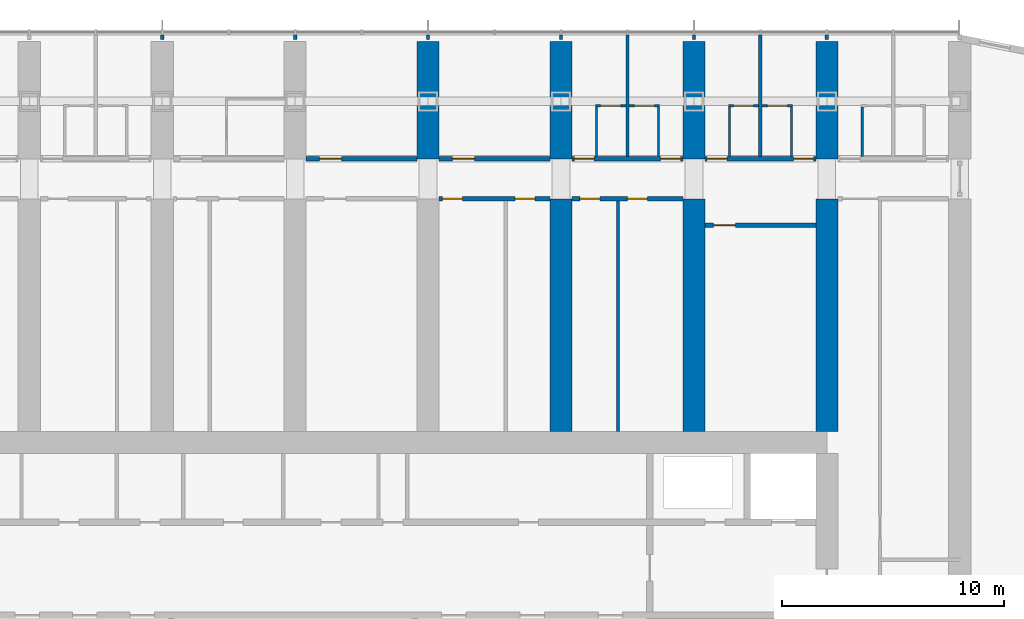
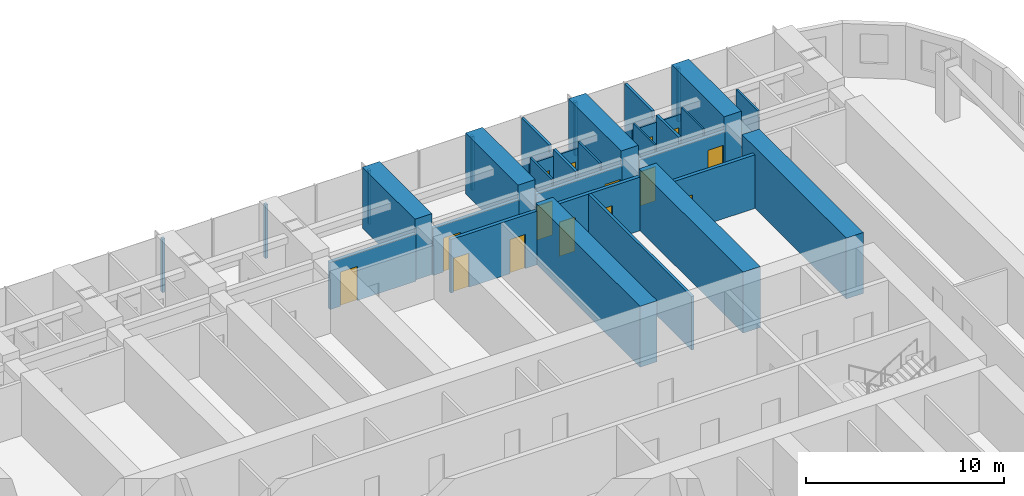
# One storey, part 17 of 24: 32 walls, 15 doors, 15 openings.
"""IFC4 building model written with IfcOpenShell, lengths in metres."""

from ifc_helpers import new_model, si_unit, direction, frame, frame_2d, origin, place, context, subcontext, project, spatial, polyline, rectangle, outline, extrude, material, layer, layer_set, type_object, element, fill, save


model = new_model("IFC4")

# Units and contexts
model_context = context("Model", 3, precision=1e-05, world=origin(), true_north=direction((0.0, 1.0)))
body_context = subcontext(model_context, "Body", "Model", "MODEL_VIEW")
ifc_project = project(units=[si_unit("LENGTHUNIT", "METRE"), si_unit("AREAUNIT", "SQUARE_METRE"), si_unit("VOLUMEUNIT", "CUBIC_METRE"), si_unit("PLANEANGLEUNIT", "RADIAN"), si_unit("MASSUNIT", "GRAM", prefix="KILO")], contexts=[model_context])

# Site, building, storey
site_placement = place(None, origin())
site = spatial("IfcSite", under=ifc_project, at=site_placement, CompositionType="ELEMENT")
building_placement = place(site_placement, origin())
building = spatial("IfcBuilding", under=site, at=building_placement, Name="Orbita Commons", CompositionType="ELEMENT")
storey_placement = place(building_placement, frame((0.0, 0.0, 35.199951171875)))
storey = spatial("IfcBuildingStorey", under=building, at=storey_placement, Name="L08", CompositionType="ELEMENT", Elevation=35.199951171875)

# Wall, opening, door
ifc_material_1 = material(Name="Concrete blockwork", Category="masonry")
ifc_layer_1 = layer(ifc_material_1, 0.199951171875)
ifc_layer_set_1 = layer_set([ifc_layer_1], Name="Concrete blockwork")
wall_type_1 = type_object("IfcWallType", Name="Corridor wall 200 blockwork", PredefinedType="SOLIDWALL", material=ifc_layer_set_1)
wall_1_placement = place(storey_placement, frame((42.5, 51.0, 0.0), z_axis=(0.0, 0.0, 1.0), x_axis=(1.0, 0.0, 0.0)))
wall_1 = element("IfcWall", 1, at=wall_1_placement, inside=storey, type_object=wall_type_1, Name="Corridor wall 200 blockwork L08", PredefinedType="SOLIDWALL", context=body_context, shape_type="SweptSolid", body=[
    extrude(outline(polyline([(0.0, 0.0), (5.0, 0.0), (5.0, 2.900146484375), (0.0, 2.900146484375), (0.0, 0.0)])), frame((0.0, 0.10009765625, 0.0), z_axis=(0.0, -1.0, 0.0), x_axis=(1.0, 0.0, 0.0)), (0.0, 0.0, 1.0), 0.199951171875),
])
opening_1_placement = place(wall_1_placement, frame((0.60009765625, 0.0, 0.0)))
opening_1 = element("IfcOpeningElement", 2, at=opening_1_placement, cuts=wall_1, Name="Opening D06", PredefinedType="OPENING", context=body_context, shape_type="SweptSolid", body=[
    extrude(rectangle(XDim=1.0, YDim=2.10009765625, at=frame_2d((0.5, 1.050048828125))), frame((0.0, 0.10986328125, 0.0), z_axis=(0.0, -1.0, 0.0), x_axis=(1.0, 0.0, 0.0)), (0.0, 0.0, 1.0), 0.219970703125),
])
ifc_material_2 = material(Name="Steel-faced fire door leaf", Category="steel")
door_type_1 = type_object("IfcDoorType", Name="Corridor door 20 min 1000x2100", OperationType="SINGLE_SWING_LEFT", PredefinedType="DOOR", material=ifc_material_2)
door_1_placement = place(opening_1_placement, origin())
door_1 = element("IfcDoor", 3, at=door_1_placement, inside=storey, type_object=door_type_1, Name="House common room L08-N10 door", OperationType="SINGLE_SWING_LEFT", OverallHeight=2.10009765625, OverallWidth=1.0, PredefinedType="DOOR", context=body_context, shape_type="SweptSolid", body=[
    extrude(rectangle(XDim=1.0, YDim=2.10009765625, at=frame_2d((0.5, 1.050048828125))), frame((0.0, 0.02490234375, 0.0), z_axis=(0.0, -1.0, 0.0), x_axis=(1.0, 0.0, 0.0)), (0.0, 0.0, 1.0), 0.050048828125),
])
fill(opening_1, door_1)

wall_2_placement = place(storey_placement, frame((48.5, 51.0, 0.0), z_axis=(0.0, 0.0, 1.0), x_axis=(1.0, 0.0, 0.0)))
wall_2 = element("IfcWall", 4, at=wall_2_placement, inside=storey, type_object=wall_type_1, Name="Corridor wall 200 blockwork L08", PredefinedType="SOLIDWALL", context=body_context, shape_type="SweptSolid", body=[
    extrude(outline(polyline([(0.0, 0.0), (5.0, 0.0), (5.0, 2.900146484375), (0.0, 2.900146484375), (0.0, 0.0)])), frame((0.0, 0.10009765625, 0.0), z_axis=(0.0, -1.0, 0.0), x_axis=(1.0, 0.0, 0.0)), (0.0, 0.0, 1.0), 0.199951171875),
])
opening_2_placement = place(wall_2_placement, frame((0.60009765625, 0.0, 0.0)))
opening_2 = element("IfcOpeningElement", 5, at=opening_2_placement, cuts=wall_2, Name="Opening D06", PredefinedType="OPENING", context=body_context, shape_type="SweptSolid", body=[
    extrude(rectangle(XDim=1.0, YDim=2.10009765625, at=frame_2d((0.5, 1.050048828125))), frame((0.0, 0.10986328125, 0.0), z_axis=(0.0, -1.0, 0.0), x_axis=(1.0, 0.0, 0.0)), (0.0, 0.0, 1.0), 0.219970703125),
])
door_2_placement = place(opening_2_placement, origin())
door_2 = element("IfcDoor", 6, at=door_2_placement, inside=storey, type_object=door_type_1, Name="House kitchen-diner L08-N12 door", OperationType="SINGLE_SWING_LEFT", OverallHeight=2.10009765625, OverallWidth=1.0, PredefinedType="DOOR", context=body_context, shape_type="SweptSolid", body=[
    extrude(rectangle(XDim=1.0, YDim=2.10009765625, at=frame_2d((0.5, 1.050048828125))), frame((0.0, 0.02490234375, 0.0), z_axis=(0.0, -1.0, 0.0), x_axis=(1.0, 0.0, 0.0)), (0.0, 0.0, 1.0), 0.050048828125),
])
fill(opening_2, door_2)

# Wall, openings, doors
wall_3_placement = place(storey_placement, frame((54.5, 51.0, 0.0), z_axis=(0.0, 0.0, 1.0), x_axis=(1.0, 0.0, 0.0)))
wall_3 = element("IfcWall", 7, at=wall_3_placement, inside=storey, type_object=wall_type_1, Name="Corridor wall 200 blockwork L08", PredefinedType="SOLIDWALL", context=body_context, shape_type="SweptSolid", body=[
    extrude(outline(polyline([(0.0, 0.0), (5.0, 0.0), (5.0, 2.900146484375), (0.0, 2.900146484375), (0.0, 0.0)])), frame((0.0, 0.10009765625, 0.0), z_axis=(0.0, -1.0, 0.0), x_axis=(1.0, 0.0, 0.0)), (0.0, 0.0, 1.0), 0.199951171875),
])
opening_3_placement = place(wall_3_placement, frame((0.10009765625, 0.0, 0.0)))
opening_3 = element("IfcOpeningElement", 8, at=opening_3_placement, cuts=wall_3, Name="Opening D11", PredefinedType="OPENING", context=body_context, shape_type="SweptSolid", body=[
    extrude(rectangle(XDim=0.89990234375, YDim=2.10009765625, at=frame_2d((0.449951171875, 1.050048828125))), frame((0.0, 0.10986328125, 0.0), z_axis=(0.0, -1.0, 0.0), x_axis=(1.0, 0.0, 0.0)), (0.0, 0.0, 1.0), 0.219970703125),
])
opening_4_placement = place(wall_3_placement, frame((4.0, 0.0, 0.0)))
opening_4 = element("IfcOpeningElement", 9, at=opening_4_placement, cuts=wall_3, Name="Opening D11", PredefinedType="OPENING", context=body_context, shape_type="SweptSolid", body=[
    extrude(rectangle(XDim=0.89990234375, YDim=2.10009765625, at=frame_2d((0.449951171875, 1.050048828125))), frame((0.0, 0.10986328125, 0.0), z_axis=(0.0, -1.0, 0.0), x_axis=(1.0, 0.0, 0.0)), (0.0, 0.0, 1.0), 0.219970703125),
])
ifc_material_3 = material(Name="Steel-faced fire door leaf", Category="steel")
door_type_2 = type_object("IfcDoorType", Name="Corridor door 20 min 900x2100", OperationType="SINGLE_SWING_LEFT", PredefinedType="DOOR", material=ifc_material_3)
door_3_placement = place(opening_3_placement, origin())
door_3 = element("IfcDoor", 10, at=door_3_placement, inside=storey, type_object=door_type_2, Name="House bedroom L08-N14 door", OperationType="SINGLE_SWING_LEFT", OverallHeight=2.10009765625, OverallWidth=0.89990234375, PredefinedType="DOOR", context=body_context, shape_type="SweptSolid", body=[
    extrude(rectangle(XDim=0.89990234375, YDim=2.10009765625, at=frame_2d((0.449951171875, 1.050048828125))), frame((0.0, 0.02490234375, 0.0), z_axis=(0.0, -1.0, 0.0), x_axis=(1.0, 0.0, 0.0)), (0.0, 0.0, 1.0), 0.050048828125),
])
fill(opening_3, door_3)
door_4_placement = place(opening_4_placement, origin())
door_4 = element("IfcDoor", 11, at=door_4_placement, inside=storey, type_object=door_type_2, Name="House bedroom L08-N15 door", OperationType="SINGLE_SWING_LEFT", OverallHeight=2.10009765625, OverallWidth=0.89990234375, PredefinedType="DOOR", context=body_context, shape_type="SweptSolid", body=[
    extrude(rectangle(XDim=0.89990234375, YDim=2.10009765625, at=frame_2d((0.449951171875, 1.050048828125))), frame((0.0, 0.02490234375, 0.0), z_axis=(0.0, -1.0, 0.0), x_axis=(1.0, 0.0, 0.0)), (0.0, 0.0, 1.0), 0.050048828125),
])
fill(opening_4, door_4)

wall_4_placement = place(storey_placement, frame((60.5, 51.0, 0.0), z_axis=(0.0, 0.0, 1.0), x_axis=(1.0, 0.0, 0.0)))
wall_4 = element("IfcWall", 12, at=wall_4_placement, inside=storey, type_object=wall_type_1, Name="Corridor wall 200 blockwork L08", PredefinedType="SOLIDWALL", context=body_context, shape_type="SweptSolid", body=[
    extrude(outline(polyline([(0.0, 0.0), (5.0, 0.0), (5.0, 2.900146484375), (0.0, 2.900146484375), (0.0, 0.0)])), frame((0.0, 0.10009765625, 0.0), z_axis=(0.0, -1.0, 0.0), x_axis=(1.0, 0.0, 0.0)), (0.0, 0.0, 1.0), 0.199951171875),
])
opening_5_placement = place(wall_4_placement, frame((0.10009765625, 0.0, 0.0)))
opening_5 = element("IfcOpeningElement", 13, at=opening_5_placement, cuts=wall_4, Name="Opening D11", PredefinedType="OPENING", context=body_context, shape_type="SweptSolid", body=[
    extrude(rectangle(XDim=0.89990234375, YDim=2.10009765625, at=frame_2d((0.449951171875, 1.050048828125))), frame((0.0, 0.10986328125, 0.0), z_axis=(0.0, -1.0, 0.0), x_axis=(1.0, 0.0, 0.0)), (0.0, 0.0, 1.0), 0.219970703125),
])
opening_6_placement = place(wall_4_placement, frame((4.0, 0.0, 0.0)))
opening_6 = element("IfcOpeningElement", 14, at=opening_6_placement, cuts=wall_4, Name="Opening D11", PredefinedType="OPENING", context=body_context, shape_type="SweptSolid", body=[
    extrude(rectangle(XDim=0.89990234375, YDim=2.10009765625, at=frame_2d((0.449951171875, 1.050048828125))), frame((0.0, 0.10986328125, 0.0), z_axis=(0.0, -1.0, 0.0), x_axis=(1.0, 0.0, 0.0)), (0.0, 0.0, 1.0), 0.219970703125),
])
door_5_placement = place(opening_5_placement, origin())
door_5 = element("IfcDoor", 15, at=door_5_placement, inside=storey, type_object=door_type_2, Name="House bedroom L08-N16 door", OperationType="SINGLE_SWING_LEFT", OverallHeight=2.10009765625, OverallWidth=0.89990234375, PredefinedType="DOOR", context=body_context, shape_type="SweptSolid", body=[
    extrude(rectangle(XDim=0.89990234375, YDim=2.10009765625, at=frame_2d((0.449951171875, 1.050048828125))), frame((0.0, 0.02490234375, 0.0), z_axis=(0.0, -1.0, 0.0), x_axis=(1.0, 0.0, 0.0)), (0.0, 0.0, 1.0), 0.050048828125),
])
fill(opening_5, door_5)
door_6_placement = place(opening_6_placement, origin())
door_6 = element("IfcDoor", 16, at=door_6_placement, inside=storey, type_object=door_type_2, Name="House bedroom L08-N17 door", OperationType="SINGLE_SWING_LEFT", OverallHeight=2.10009765625, OverallWidth=0.89990234375, PredefinedType="DOOR", context=body_context, shape_type="SweptSolid", body=[
    extrude(rectangle(XDim=0.89990234375, YDim=2.10009765625, at=frame_2d((0.449951171875, 1.050048828125))), frame((0.0, 0.02490234375, 0.0), z_axis=(0.0, -1.0, 0.0), x_axis=(1.0, 0.0, 0.0)), (0.0, 0.0, 1.0), 0.050048828125),
])
fill(opening_6, door_6)

ifc_material_4 = material(Name="Hollow concrete block 200", Category="concrete")
ifc_layer_2 = layer(ifc_material_4, 0.199951171875)
ifc_layer_set_2 = layer_set([ifc_layer_2], Name="Hollow concrete block 200")
wall_type_2 = type_object("IfcWallType", Name="Corridor wall 200 hollow concrete block", PredefinedType="SOLIDWALL", material=ifc_layer_set_2)
wall_5_placement = place(storey_placement, frame((48.5, 49.199951171875, 0.0), z_axis=(0.0, 0.0, 1.0), x_axis=(1.0, 0.0, 0.0)))
wall_5 = element("IfcWall", 17, at=wall_5_placement, inside=storey, type_object=wall_type_2, Name="Corridor wall 200 hollow concrete block L08", PredefinedType="SOLIDWALL", context=body_context, shape_type="SweptSolid", body=[
    extrude(rectangle(XDim=5.0, YDim=0.199951171875, at=frame_2d((2.5, 0.0))), origin(), (0.0, 0.0, 1.0), 3.300048828125),
])
opening_7_placement = place(wall_5_placement, frame((0.14990234375, 0.0, 0.0)))
opening_7 = element("IfcOpeningElement", 18, at=opening_7_placement, cuts=wall_5, Name="Opening D11", PredefinedType="OPENING", context=body_context, shape_type="SweptSolid", body=[
    extrude(rectangle(XDim=0.89990234375, YDim=2.10009765625, at=frame_2d((0.449951171875, 1.050048828125))), frame((0.0, 0.10986328125, 0.0), z_axis=(0.0, -1.0, 0.0), x_axis=(1.0, 0.0, 0.0)), (0.0, 0.0, 1.0), 0.219970703125),
])
opening_8_placement = place(wall_5_placement, frame((3.425048828125, 0.0, 0.0)))
opening_8 = element("IfcOpeningElement", 19, at=opening_8_placement, cuts=wall_5, Name="Opening D11", PredefinedType="OPENING", context=body_context, shape_type="SweptSolid", body=[
    extrude(rectangle(XDim=0.89990234375, YDim=2.10009765625, at=frame_2d((0.449951171875, 1.050048828125))), frame((0.0, 0.10986328125, 0.0), z_axis=(0.0, -1.0, 0.0), x_axis=(1.0, 0.0, 0.0)), (0.0, 0.0, 1.0), 0.219970703125),
])
door_7_placement = place(opening_7_placement, origin())
door_7 = element("IfcDoor", 20, at=door_7_placement, inside=storey, type_object=door_type_2, Name="Storage lockers L08-BDN48 door", OperationType="SINGLE_SWING_LEFT", OverallHeight=2.10009765625, OverallWidth=0.89990234375, PredefinedType="DOOR", context=body_context, shape_type="SweptSolid", body=[
    extrude(rectangle(XDim=0.89990234375, YDim=2.10009765625, at=frame_2d((0.449951171875, 1.050048828125))), frame((0.0, 0.02490234375, 0.0), z_axis=(0.0, -1.0, 0.0), x_axis=(1.0, 0.0, 0.0)), (0.0, 0.0, 1.0), 0.050048828125),
])
fill(opening_7, door_7)
door_8_placement = place(opening_8_placement, origin())
door_8 = element("IfcDoor", 21, at=door_8_placement, inside=storey, type_object=door_type_2, Name="Water heater cupboard L08-BDN48n door", OperationType="SINGLE_SWING_LEFT", OverallHeight=2.10009765625, OverallWidth=0.89990234375, PredefinedType="DOOR", context=body_context, shape_type="SweptSolid", body=[
    extrude(rectangle(XDim=0.89990234375, YDim=2.10009765625, at=frame_2d((0.449951171875, 1.050048828125))), frame((0.0, 0.02490234375, 0.0), z_axis=(0.0, -1.0, 0.0), x_axis=(1.0, 0.0, 0.0)), (0.0, 0.0, 1.0), 0.050048828125),
])
fill(opening_8, door_8)

wall_6_placement = place(storey_placement, frame((54.5, 49.199951171875, 0.0), z_axis=(0.0, 0.0, 1.0), x_axis=(1.0, 0.0, 0.0)))
wall_6 = element("IfcWall", 22, at=wall_6_placement, inside=storey, type_object=wall_type_2, Name="Corridor wall 200 hollow concrete block L08", PredefinedType="SOLIDWALL", context=body_context, shape_type="SweptSolid", body=[
    extrude(rectangle(XDim=5.0, YDim=0.199951171875, at=frame_2d((2.5, 0.0))), origin(), (0.0, 0.0, 1.0), 3.300048828125),
])
opening_9_placement = place(wall_6_placement, frame((0.35009765625, 0.0, 0.0)))
opening_9 = element("IfcOpeningElement", 23, at=opening_9_placement, cuts=wall_6, Name="Opening D11", PredefinedType="OPENING", context=body_context, shape_type="SweptSolid", body=[
    extrude(rectangle(XDim=0.89990234375, YDim=2.10009765625, at=frame_2d((0.449951171875, 1.050048828125))), frame((0.0, 0.10986328125, 0.0), z_axis=(0.0, -1.0, 0.0), x_axis=(1.0, 0.0, 0.0)), (0.0, 0.0, 1.0), 0.219970703125),
])
opening_10_placement = place(wall_6_placement, frame((2.4951171875, 0.0, 0.0)))
opening_10 = element("IfcOpeningElement", 24, at=opening_10_placement, cuts=wall_6, Name="Opening D11", PredefinedType="OPENING", context=body_context, shape_type="SweptSolid", body=[
    extrude(rectangle(XDim=0.89990234375, YDim=2.10009765625, at=frame_2d((0.449951171875, 1.050048828125))), frame((0.0, 0.10986328125, 0.0), z_axis=(0.0, -1.0, 0.0), x_axis=(1.0, 0.0, 0.0)), (0.0, 0.0, 1.0), 0.219970703125),
])
door_9_placement = place(opening_9_placement, origin())
door_9 = element("IfcDoor", 25, at=door_9_placement, inside=storey, type_object=door_type_2, Name="Battery and UPS room L08-BDN54n door", OperationType="SINGLE_SWING_LEFT", OverallHeight=2.10009765625, OverallWidth=0.89990234375, PredefinedType="DOOR", context=body_context, shape_type="SweptSolid", body=[
    extrude(rectangle(XDim=0.89990234375, YDim=2.10009765625, at=frame_2d((0.449951171875, 1.050048828125))), frame((0.0, 0.02490234375, 0.0), z_axis=(0.0, -1.0, 0.0), x_axis=(1.0, 0.0, 0.0)), (0.0, 0.0, 1.0), 0.050048828125),
])
fill(opening_9, door_9)
door_10_placement = place(opening_10_placement, origin())
door_10 = element("IfcDoor", 26, at=door_10_placement, inside=storey, type_object=door_type_2, Name="Ventilation plant room south L08-BDN54 door", OperationType="SINGLE_SWING_LEFT", OverallHeight=2.10009765625, OverallWidth=0.89990234375, PredefinedType="DOOR", context=body_context, shape_type="SweptSolid", body=[
    extrude(rectangle(XDim=0.89990234375, YDim=2.10009765625, at=frame_2d((0.449951171875, 1.050048828125))), frame((0.0, 0.02490234375, 0.0), z_axis=(0.0, -1.0, 0.0), x_axis=(1.0, 0.0, 0.0)), (0.0, 0.0, 1.0), 0.050048828125),
])
fill(opening_10, door_10)

# Wall, opening, door
wall_7_placement = place(storey_placement, frame((60.5, 48.0, 0.0), z_axis=(0.0, 0.0, 1.0), x_axis=(1.0, 0.0, 0.0)))
wall_7 = element("IfcWall", 27, at=wall_7_placement, inside=storey, type_object=wall_type_2, Name="Corridor wall 200 hollow concrete block L08", PredefinedType="SOLIDWALL", context=body_context, shape_type="SweptSolid", body=[
    extrude(rectangle(XDim=5.0, YDim=0.199951171875, at=frame_2d((2.5, 0.0))), origin(), (0.0, 0.0, 1.0), 3.300048828125),
])
opening_11_placement = place(wall_7_placement, frame((0.375, 0.0, 0.0)))
opening_11 = element("IfcOpeningElement", 28, at=opening_11_placement, cuts=wall_7, Name="Opening D06", PredefinedType="OPENING", context=body_context, shape_type="SweptSolid", body=[
    extrude(rectangle(XDim=1.0, YDim=2.10009765625, at=frame_2d((0.5, 1.050048828125))), frame((0.0, 0.10986328125, 0.0), z_axis=(0.0, -1.0, 0.0), x_axis=(1.0, 0.0, 0.0)), (0.0, 0.0, 1.0), 0.219970703125),
])
door_11_placement = place(opening_11_placement, origin())
door_11 = element("IfcDoor", 29, at=door_11_placement, inside=storey, type_object=door_type_1, Name="Refuse and recycling room L08-BDN60 door", OperationType="SINGLE_SWING_LEFT", OverallHeight=2.10009765625, OverallWidth=1.0, PredefinedType="DOOR", context=body_context, shape_type="SweptSolid", body=[
    extrude(rectangle(XDim=1.0, YDim=2.10009765625, at=frame_2d((0.5, 1.050048828125))), frame((0.0, 0.02490234375, 0.0), z_axis=(0.0, -1.0, 0.0), x_axis=(1.0, 0.0, 0.0)), (0.0, 0.0, 1.0), 0.050048828125),
])
fill(opening_11, door_11)

# Walls
ifc_material_5 = material(Name="Concrete C50/60", Category="concrete")
ifc_layer_3 = layer(ifc_material_5, 1.0)
ifc_layer_set_3 = layer_set([ifc_layer_3], Name="Concrete C50/60")
wall_type_3 = type_object("IfcWallType", Name="Cross wall 1000 C50/60", PredefinedType="SHEAR", material=ifc_layer_set_3)
for number, where, z_axis, x_axis, name in (
    (30, (48.0, 51.0, 0.0), (0.0, 0.0, 1.0), (0.0, 1.0, 0.0), "Cross wall 9 north outer L08"),
    (31, (54.0, 51.0, 0.0), (0.0, 0.0, 1.0), (0.0, 1.0, 0.0), "Cross wall 10 north outer L08"),
):
    element("IfcWall", number, at=place(storey_placement, frame(where, z_axis=z_axis, x_axis=x_axis)), inside=storey, type_object=wall_type_3, Name=name, PredefinedType="SHEAR", context=body_context, shape_type="SweptSolid", body=[
        extrude(rectangle(XDim=5.300048828125, YDim=1.0, at=frame_2d((2.64990234375, 0.0))), origin(), (0.0, 0.0, 1.0), 3.75),
    ])
wall_8_placement = place(storey_placement, frame((54.0, 38.699951171875, 0.0), z_axis=(0.0, 0.0, 1.0), x_axis=(0.0, 1.0, 0.0)))
element("IfcWall", 32, at=wall_8_placement, inside=storey, type_object=wall_type_3, Name="Cross wall 10 north inner L08", PredefinedType="SHEAR", context=body_context, shape_type="SweptSolid", body=[
    extrude(rectangle(XDim=10.5, YDim=1.0, at=frame_2d((5.25, 0.0))), origin(), (0.0, 0.0, 1.0), 3.75),
])
wall_9_placement = place(storey_placement, frame((60.0, 51.0, 0.0), z_axis=(0.0, 0.0, 1.0), x_axis=(0.0, 1.0, 0.0)))
element("IfcWall", 33, at=wall_9_placement, inside=storey, type_object=wall_type_3, Name="Cross wall 11 north outer L08", PredefinedType="SHEAR", context=body_context, shape_type="SweptSolid", body=[
    extrude(rectangle(XDim=5.300048828125, YDim=1.0, at=frame_2d((2.64990234375, 0.0))), origin(), (0.0, 0.0, 1.0), 3.75),
])
wall_10_placement = place(storey_placement, frame((60.0, 38.699951171875, 0.0), z_axis=(0.0, 0.0, 1.0), x_axis=(0.0, 1.0, 0.0)))
element("IfcWall", 34, at=wall_10_placement, inside=storey, type_object=wall_type_3, Name="Cross wall 11 north inner L08", PredefinedType="SHEAR", context=body_context, shape_type="SweptSolid", body=[
    extrude(rectangle(XDim=10.5, YDim=1.0, at=frame_2d((5.25, 0.0))), origin(), (0.0, 0.0, 1.0), 3.75),
])
wall_11_placement = place(storey_placement, frame((66.0, 51.0, 0.0), z_axis=(0.0, 0.0, 1.0), x_axis=(0.0, 1.0, 0.0)))
element("IfcWall", 35, at=wall_11_placement, inside=storey, type_object=wall_type_3, Name="Cross wall 12 north outer L08", PredefinedType="SHEAR", context=body_context, shape_type="SweptSolid", body=[
    extrude(rectangle(XDim=5.300048828125, YDim=1.0, at=frame_2d((2.64990234375, 0.0))), origin(), (0.0, 0.0, 1.0), 3.75),
])
wall_12_placement = place(storey_placement, frame((66.0, 38.699951171875, 0.0), z_axis=(0.0, 0.0, 1.0), x_axis=(0.0, 1.0, 0.0)))
element("IfcWall", 36, at=wall_12_placement, inside=storey, type_object=wall_type_3, Name="Cross wall 12 north inner L08", PredefinedType="SHEAR", context=body_context, shape_type="SweptSolid", body=[
    extrude(rectangle(XDim=10.5, YDim=1.0, at=frame_2d((5.25, 0.0))), origin(), (0.0, 0.0, 1.0), 3.75),
])

# Wall, opening, door
ifc_material_6 = material(Name="Moisture-resistant plasterboard on steel studs", Category="steel")
ifc_layer_4 = layer(ifc_material_6, 0.10009765625)
ifc_layer_set_4 = layer_set([ifc_layer_4], Name="Moisture-resistant plasterboard on steel studs")
wall_type_4 = type_object("IfcWallType", Name="En-suite partition 100", PredefinedType="PARTITIONING", material=ifc_layer_set_4)
wall_13_placement = place(storey_placement, frame((55.550048828125, 53.40185546875, 0.0), z_axis=(0.0, 0.0, 1.0), x_axis=(1.0, 0.0, 0.0)))
wall_13 = element("IfcWall", 37, at=wall_13_placement, inside=storey, type_object=wall_type_4, Name="En-suite partition 100 L08", PredefinedType="PARTITIONING", context=body_context, shape_type="SweptSolid", body=[
    extrude(outline(polyline([(0.0, 0.0), (1.375, 0.0), (1.375, 2.900146484375), (0.0, 2.900146484375), (0.0, 0.0)])), frame((0.0, 0.050048828125, 0.0), z_axis=(0.0, -1.0, 0.0), x_axis=(1.0, 0.0, 0.0)), (0.0, 0.0, 1.0), 0.10009765625),
])
opening_12_placement = place(wall_13_placement, frame((0.237548828125, 0.0, 0.0)))
opening_12 = element("IfcOpeningElement", 38, at=opening_12_placement, cuts=wall_13, Name="Opening D09", PredefinedType="OPENING", context=body_context, shape_type="SweptSolid", body=[
    extrude(rectangle(XDim=0.89990234375, YDim=2.10009765625, at=frame_2d((0.449951171875, 1.050048828125))), frame((0.0, 0.06005859375, 0.0), z_axis=(0.0, -1.0, 0.0), x_axis=(1.0, 0.0, 0.0)), (0.0, 0.0, 1.0), 0.1201171875),
])
ifc_material_7 = material(Name="Laminated timber door leaf", Category="wood")
door_type_3 = type_object("IfcDoorType", Name="En-suite door 900x2100", OperationType="SINGLE_SWING_RIGHT", PredefinedType="DOOR", material=ifc_material_7)
door_12_placement = place(opening_12_placement, origin())
door_12 = element("IfcDoor", 39, at=door_12_placement, inside=storey, type_object=door_type_3, Name="En-suite L08-N14 door", OperationType="SINGLE_SWING_RIGHT", OverallHeight=2.10009765625, OverallWidth=0.89990234375, PredefinedType="DOOR", context=body_context, shape_type="SweptSolid", body=[
    extrude(rectangle(XDim=0.89990234375, YDim=2.10009765625, at=frame_2d((0.449951171875, 1.050048828125))), frame((0.0, 0.02490234375, 0.0), z_axis=(0.0, -1.0, 0.0), x_axis=(1.0, 0.0, 0.0)), (0.0, 0.0, 1.0), 0.050048828125),
])
fill(opening_12, door_12)

# Wall
wall_14_placement = place(storey_placement, frame((55.60009765625, 53.351806640625, 0.0), z_axis=(0.0, 0.0, 1.0), x_axis=(0.0, -1.0, 0.0)))
element("IfcWall", 40, at=wall_14_placement, inside=storey, type_object=wall_type_4, Name="En-suite partition 100 L08", PredefinedType="PARTITIONING", context=body_context, shape_type="SweptSolid", body=[
    extrude(outline(polyline([(0.0, 0.0), (2.251708984375, 0.0), (2.251953125, 2.900146484375), (2.203857421875, 2.900146484375), (2.201904296875, 3.300048828125), (0.0, 3.300048828125), (0.0, 0.0)])), frame((0.0, 0.050048828125, 0.0), z_axis=(0.0, -1.0, 0.0), x_axis=(1.0, 0.0, 0.0)), (0.0, 0.0, 1.0), 0.10009765625),
])

# Wall, opening, door
wall_15_placement = place(storey_placement, frame((57.074951171875, 53.40185546875, 0.0), z_axis=(0.0, 0.0, 1.0), x_axis=(1.0, 0.0, 0.0)))
wall_15 = element("IfcWall", 41, at=wall_15_placement, inside=storey, type_object=wall_type_4, Name="En-suite partition 100 L08", PredefinedType="PARTITIONING", context=body_context, shape_type="SweptSolid", body=[
    extrude(outline(polyline([(0.0, 0.0), (1.375, 0.0), (1.375, 2.900146484375), (0.0, 2.900146484375), (0.0, 0.0)])), frame((0.0, 0.050048828125, 0.0), z_axis=(0.0, -1.0, 0.0), x_axis=(1.0, 0.0, 0.0)), (0.0, 0.0, 1.0), 0.10009765625),
])
opening_13_placement = place(wall_15_placement, frame((0.237548828125, 0.0, 0.0)))
opening_13 = element("IfcOpeningElement", 42, at=opening_13_placement, cuts=wall_15, Name="Opening D09", PredefinedType="OPENING", context=body_context, shape_type="SweptSolid", body=[
    extrude(rectangle(XDim=0.89990234375, YDim=2.10009765625, at=frame_2d((0.449951171875, 1.050048828125))), frame((0.0, 0.06005859375, 0.0), z_axis=(0.0, -1.0, 0.0), x_axis=(1.0, 0.0, 0.0)), (0.0, 0.0, 1.0), 0.1201171875),
])
door_13_placement = place(opening_13_placement, origin())
door_13 = element("IfcDoor", 43, at=door_13_placement, inside=storey, type_object=door_type_3, Name="En-suite L08-N15 door", OperationType="SINGLE_SWING_RIGHT", OverallHeight=2.10009765625, OverallWidth=0.89990234375, PredefinedType="DOOR", context=body_context, shape_type="SweptSolid", body=[
    extrude(rectangle(XDim=0.89990234375, YDim=2.10009765625, at=frame_2d((0.449951171875, 1.050048828125))), frame((0.0, 0.02490234375, 0.0), z_axis=(0.0, -1.0, 0.0), x_axis=(1.0, 0.0, 0.0)), (0.0, 0.0, 1.0), 0.050048828125),
])
fill(opening_13, door_13)

# Wall
wall_16_placement = place(storey_placement, frame((58.39990234375, 53.351806640625, 0.0), z_axis=(0.0, 0.0, 1.0), x_axis=(0.0, -1.0, 0.0)))
element("IfcWall", 44, at=wall_16_placement, inside=storey, type_object=wall_type_4, Name="En-suite partition 100 L08", PredefinedType="PARTITIONING", context=body_context, shape_type="SweptSolid", body=[
    extrude(outline(polyline([(0.0, 0.0), (2.251708984375, 0.0), (2.251953125, 2.900146484375), (2.203857421875, 2.900146484375), (2.201904296875, 3.300048828125), (0.0, 3.300048828125), (0.0, 0.0)])), frame((0.0, 0.050048828125, 0.0), z_axis=(0.0, -1.0, 0.0), x_axis=(1.0, 0.0, 0.0)), (0.0, 0.0, 1.0), 0.10009765625),
])

# Wall, opening, door
wall_17_placement = place(storey_placement, frame((61.550048828125, 53.40185546875, 0.0), z_axis=(0.0, 0.0, 1.0), x_axis=(1.0, 0.0, 0.0)))
wall_17 = element("IfcWall", 45, at=wall_17_placement, inside=storey, type_object=wall_type_4, Name="En-suite partition 100 L08", PredefinedType="PARTITIONING", context=body_context, shape_type="SweptSolid", body=[
    extrude(outline(polyline([(0.0, 0.0), (1.375, 0.0), (1.375, 2.900146484375), (0.0, 2.900146484375), (0.0, 0.0)])), frame((0.0, 0.050048828125, 0.0), z_axis=(0.0, -1.0, 0.0), x_axis=(1.0, 0.0, 0.0)), (0.0, 0.0, 1.0), 0.10009765625),
])
opening_14_placement = place(wall_17_placement, frame((0.237548828125, 0.0, 0.0)))
opening_14 = element("IfcOpeningElement", 46, at=opening_14_placement, cuts=wall_17, Name="Opening D09", PredefinedType="OPENING", context=body_context, shape_type="SweptSolid", body=[
    extrude(rectangle(XDim=0.89990234375, YDim=2.10009765625, at=frame_2d((0.449951171875, 1.050048828125))), frame((0.0, 0.06005859375, 0.0), z_axis=(0.0, -1.0, 0.0), x_axis=(1.0, 0.0, 0.0)), (0.0, 0.0, 1.0), 0.1201171875),
])
door_14_placement = place(opening_14_placement, origin())
door_14 = element("IfcDoor", 47, at=door_14_placement, inside=storey, type_object=door_type_3, Name="En-suite L08-N16 door", OperationType="SINGLE_SWING_RIGHT", OverallHeight=2.10009765625, OverallWidth=0.89990234375, PredefinedType="DOOR", context=body_context, shape_type="SweptSolid", body=[
    extrude(rectangle(XDim=0.89990234375, YDim=2.10009765625, at=frame_2d((0.449951171875, 1.050048828125))), frame((0.0, 0.02490234375, 0.0), z_axis=(0.0, -1.0, 0.0), x_axis=(1.0, 0.0, 0.0)), (0.0, 0.0, 1.0), 0.050048828125),
])
fill(opening_14, door_14)

# Wall
wall_18_placement = place(storey_placement, frame((61.60009765625, 53.351806640625, 0.0), z_axis=(0.0, 0.0, 1.0), x_axis=(0.0, -1.0, 0.0)))
element("IfcWall", 48, at=wall_18_placement, inside=storey, type_object=wall_type_4, Name="En-suite partition 100 L08", PredefinedType="PARTITIONING", context=body_context, shape_type="SweptSolid", body=[
    extrude(outline(polyline([(0.0, 0.0), (2.251708984375, 0.0), (2.251953125, 2.900146484375), (2.203857421875, 2.900146484375), (2.201904296875, 3.300048828125), (0.0, 3.300048828125), (0.0, 0.0)])), frame((0.0, 0.050048828125, 0.0), z_axis=(0.0, -1.0, 0.0), x_axis=(1.0, 0.0, 0.0)), (0.0, 0.0, 1.0), 0.10009765625),
])

# Wall, opening, door
wall_19_placement = place(storey_placement, frame((63.074951171875, 53.40185546875, 0.0), z_axis=(0.0, 0.0, 1.0), x_axis=(1.0, 0.0, 0.0)))
wall_19 = element("IfcWall", 49, at=wall_19_placement, inside=storey, type_object=wall_type_4, Name="En-suite partition 100 L08", PredefinedType="PARTITIONING", context=body_context, shape_type="SweptSolid", body=[
    extrude(outline(polyline([(0.0, 0.0), (1.375, 0.0), (1.375, 2.900146484375), (0.0, 2.900146484375), (0.0, 0.0)])), frame((0.0, 0.050048828125, 0.0), z_axis=(0.0, -1.0, 0.0), x_axis=(1.0, 0.0, 0.0)), (0.0, 0.0, 1.0), 0.10009765625),
])
opening_15_placement = place(wall_19_placement, frame((0.237548828125, 0.0, 0.0)))
opening_15 = element("IfcOpeningElement", 50, at=opening_15_placement, cuts=wall_19, Name="Opening D09", PredefinedType="OPENING", context=body_context, shape_type="SweptSolid", body=[
    extrude(rectangle(XDim=0.89990234375, YDim=2.10009765625, at=frame_2d((0.449951171875, 1.050048828125))), frame((0.0, 0.06005859375, 0.0), z_axis=(0.0, -1.0, 0.0), x_axis=(1.0, 0.0, 0.0)), (0.0, 0.0, 1.0), 0.1201171875),
])
door_15_placement = place(opening_15_placement, origin())
door_15 = element("IfcDoor", 51, at=door_15_placement, inside=storey, type_object=door_type_3, Name="En-suite L08-N17 door", OperationType="SINGLE_SWING_RIGHT", OverallHeight=2.10009765625, OverallWidth=0.89990234375, PredefinedType="DOOR", context=body_context, shape_type="SweptSolid", body=[
    extrude(rectangle(XDim=0.89990234375, YDim=2.10009765625, at=frame_2d((0.449951171875, 1.050048828125))), frame((0.0, 0.02490234375, 0.0), z_axis=(0.0, -1.0, 0.0), x_axis=(1.0, 0.0, 0.0)), (0.0, 0.0, 1.0), 0.050048828125),
])
fill(opening_15, door_15)

# Walls
for number, where, z_axis, x_axis, name in (
    (52, (64.39990234375, 53.351806640625, 0.0), (0.0, 0.0, 1.0), (0.0, -1.0, 0.0), "En-suite partition 100 L08"),
    (53, (67.60009765625, 53.351806640625, 0.0), (0.0, 0.0, 1.0), (0.0, -1.0, 0.0), "En-suite partition 100 L08"),
):
    element("IfcWall", number, at=place(storey_placement, frame(where, z_axis=z_axis, x_axis=x_axis)), inside=storey, type_object=wall_type_4, Name=name, PredefinedType="PARTITIONING", context=body_context, shape_type="SweptSolid", body=[
        extrude(outline(polyline([(0.0, 0.0), (2.251708984375, 0.0), (2.251953125, 2.900146484375), (2.203857421875, 2.900146484375), (2.201904296875, 3.300048828125), (0.0, 3.300048828125), (0.0, 0.0)])), frame((0.0, 0.050048828125, 0.0), z_axis=(0.0, -1.0, 0.0), x_axis=(1.0, 0.0, 0.0)), (0.0, 0.0, 1.0), 0.10009765625),
    ])
ifc_material_8 = material(Name="Gypsum plasterboard on steel studs", Category="steel")
ifc_layer_5 = layer(ifc_material_8, 0.14990234375)
ifc_layer_set_5 = layer_set([ifc_layer_5], Name="Gypsum plasterboard on steel studs")
wall_type_5 = type_object("IfcWallType", Name="Partition 150 plasterboard", PredefinedType="PARTITIONING", material=ifc_layer_set_5)
wall_20_placement = place(storey_placement, frame((56.570068359375, 38.699951171875, 0.0), z_axis=(0.0, 0.0, 1.0), x_axis=(0.0, 1.0, 0.0)))
element("IfcWall", 54, at=wall_20_placement, inside=storey, type_object=wall_type_5, Name="Partition 150 plasterboard L08", PredefinedType="PARTITIONING", context=body_context, shape_type="SweptSolid", body=[
    extrude(rectangle(XDim=10.400146484375, YDim=0.14990234375, at=frame_2d((5.2001953125, 0.0))), origin(), (0.0, 0.0, 1.0), 3.300048828125),
])
for number, where, z_axis, x_axis, name in (
    (55, (36.0, 56.39990234375, 0.0), (0.0, 0.0, 1.0), (0.0, 1.0, 0.0), "Partition 150 plasterboard L08"),
    (56, (42.0, 56.39990234375, 0.0), (0.0, 0.0, 1.0), (0.0, 1.0, 0.0), "Partition 150 plasterboard L08"),
    (57, (48.0, 56.39990234375, 0.0), (0.0, 0.0, 1.0), (0.0, 1.0, 0.0), "Partition 150 plasterboard L08"),
    (58, (54.0, 56.39990234375, 0.0), (0.0, 0.0, 1.0), (0.0, 1.0, 0.0), "Partition 150 plasterboard L08"),
    (59, (60.0, 56.39990234375, 0.0), (0.0, 0.0, 1.0), (0.0, 1.0, 0.0), "Partition 150 plasterboard L08"),
    (60, (66.0, 56.39990234375, 0.0), (0.0, 0.0, 1.0), (0.0, 1.0, 0.0), "Partition 150 plasterboard L08"),
):
    element("IfcWall", number, at=place(storey_placement, frame(where, z_axis=z_axis, x_axis=x_axis)), inside=storey, type_object=wall_type_5, Name=name, PredefinedType="PARTITIONING", context=body_context, shape_type="SweptSolid", body=[
        extrude(rectangle(XDim=0.190185546875, YDim=0.14990234375, at=frame_2d((0.09521484375, 0.0))), origin(), (0.0, 0.0, 1.0), 3.300048828125),
    ])
ifc_material_9 = material(Name="Gypsum plasterboard on steel studs", Category="steel")
ifc_layer_6 = layer(ifc_material_9, 0.14990234375)
ifc_layer_set_6 = layer_set([ifc_layer_6], Name="Gypsum plasterboard on steel studs")
wall_type_6 = type_object("IfcWallType", Name="Party wall 150 plasterboard", PredefinedType="PARTITIONING", material=ifc_layer_set_6)
for number, where, z_axis, x_axis, name in (
    (61, (57.0, 56.590087890625, 0.0), (0.0, 0.0, 1.0), (0.0, -1.0, 0.0), "Party wall 150 plasterboard L08"),
    (62, (63.0, 56.590087890625, 0.0), (0.0, 0.0, 1.0), (0.0, -1.0, 0.0), "Party wall 150 plasterboard L08"),
):
    element("IfcWall", number, at=place(storey_placement, frame(where, z_axis=z_axis, x_axis=x_axis)), inside=storey, type_object=wall_type_6, Name=name, PredefinedType="PARTITIONING", context=body_context, shape_type="SweptSolid", body=[
        extrude(outline(polyline([(0.0, 0.0), (5.489990234375, 0.0), (5.489990234375, 2.900146484375), (5.44189453125, 2.900146484375), (5.43994140625, 3.300048828125), (3.19189453125, 3.300048828125), (3.18994140625, 2.900146484375), (2.7919921875, 2.900146484375), (2.7900390625, 3.300048828125), (0.0, 3.300048828125), (0.0, 0.0)])), frame((0.0, 0.074951171875, 0.0), z_axis=(0.0, -1.0, 0.0), x_axis=(1.0, 0.0, 0.0)), (0.0, 0.0, 1.0), 0.14990234375),
    ])

save(model, "model.ifc")
